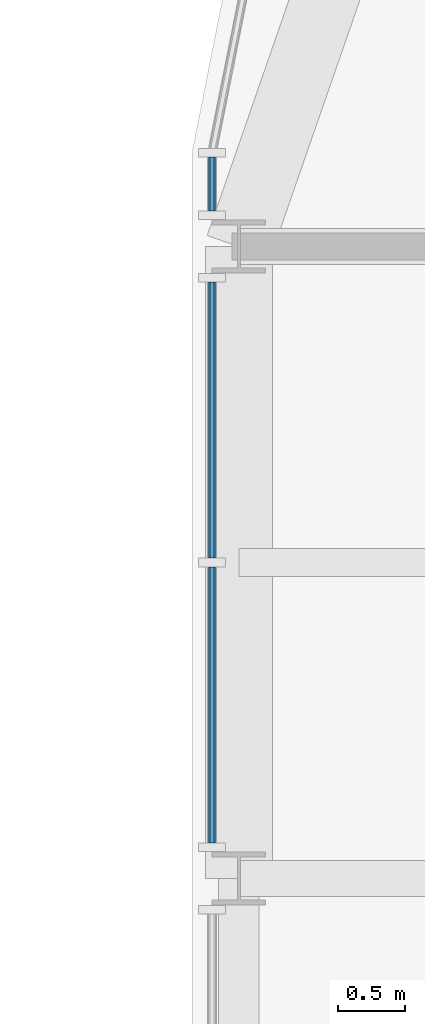
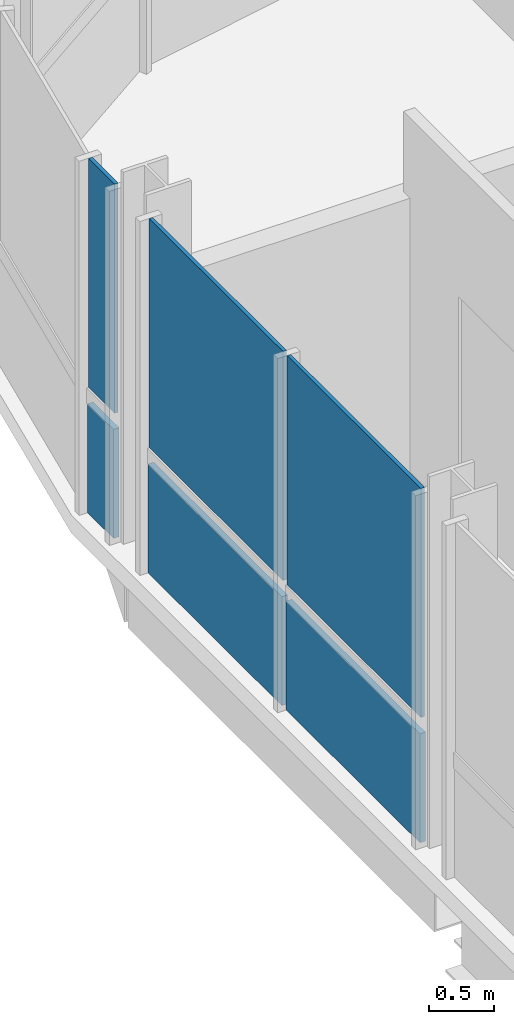
# One storey, part 9 of 17: 6 plates, 2 elements without a shape of their own.
"""IFC4 building model written with IfcOpenShell, lengths in metres."""

from ifc_helpers import new_model, si_unit, direction, frame, origin, origin_2d, place, context, subcontext, project, spatial, rectangle, extrude, material, layer, layer_set, type_object, element, aggregate, save


model = new_model("IFC4")

# Units and contexts
model_context = context("Model", 3, precision=1e-05, world=origin(), true_north=direction((0.0, 1.0)))
body_context = subcontext(model_context, "Body", "Model", "MODEL_VIEW")
ifc_project = project(units=[si_unit("LENGTHUNIT", "METRE"), si_unit("AREAUNIT", "SQUARE_METRE"), si_unit("VOLUMEUNIT", "CUBIC_METRE"), si_unit("PLANEANGLEUNIT", "RADIAN"), si_unit("MASSUNIT", "GRAM", prefix="KILO")], contexts=[model_context])

# Site, building, storey
site_placement = place(None, origin())
site = spatial("IfcSite", under=ifc_project, at=site_placement, CompositionType="ELEMENT")
building_placement = place(site_placement, origin())
building = spatial("IfcBuilding", under=site, at=building_placement, Name="Turquesa Mirador Hotel Tower", CompositionType="ELEMENT")
storey_placement = place(building_placement, frame((0.0, 0.0, 254.699951171875)))
storey = spatial("IfcBuildingStorey", under=building, at=storey_placement, Name="L69", CompositionType="ELEMENT", Elevation=254.699951171875)

# Curtain wall, plate
ifc_material_1 = material(Name="Aluminium extrusion", Category="aluminium")
curtain_wall_type = type_object("IfcCurtainWallType", Name="CW-4 SUITE FRITTED CURTAIN WALL", PredefinedType="USERDEFINED", material=ifc_material_1)
curtain_wall_1_placement = place(storey_placement, origin())
curtain_wall_1 = element("IfcCurtainWall", 1, at=curtain_wall_1_placement, inside=storey, type_object=curtain_wall_type, Name="CW-4 SUITE FRITTED CURTAIN WALL L69", ObjectType="CURTAIN WALL", PredefinedType="USERDEFINED")
ifc_material_2 = material(Name="Ceramic-printed spandrel glass on an insulated back pan", Category="glass")
ifc_layer_1 = layer(ifc_material_2, 0.050048828125)
ifc_layer_set_1 = layer_set([ifc_layer_1], Name="CW PANEL SPANDREL CERAMIC")
plate_type_1 = type_object("IfcPlateType", Name="CW PANEL SPANDREL CERAMIC", PredefinedType="CURTAIN_PANEL", material=ifc_layer_set_1)
plate_1_placement = place(storey_placement, frame((37.14990234375, 57.266845703125, 0.0), z_axis=(0.0, 0.0, 1.0), x_axis=(0.0, -1.0, 0.0)))
plate_1 = element("IfcPlate", 2, at=plate_1_placement, type_object=plate_type_1, Name="Panel", PredefinedType="CURTAIN_PANEL", context=body_context, shape_type="SweptSolid", body=[
    extrude(rectangle(XDim=0.401123046875, YDim=0.050048828125, at=origin_2d()), origin(), (0.0, 0.0, 1.0), 1.02490234375),
])

# Curtain wall, plates
curtain_wall_2_placement = place(storey_placement, origin())
curtain_wall_2 = element("IfcCurtainWall", 3, at=curtain_wall_2_placement, inside=storey, type_object=curtain_wall_type, Name="CW-4 SUITE FRITTED CURTAIN WALL L69", ObjectType="CURTAIN WALL", PredefinedType="USERDEFINED")
plate_2_placement = place(storey_placement, frame((37.14990234375, 55.503173828125, 0.0), z_axis=(0.0, 0.0, 1.0), x_axis=(0.0, -1.0, 0.0)))
plate_2 = element("IfcPlate", 4, at=plate_2_placement, type_object=plate_type_1, Name="Panel", PredefinedType="CURTAIN_PANEL", context=body_context, shape_type="SweptSolid", body=[
    extrude(rectangle(XDim=2.06103515625, YDim=0.050048828125, at=origin_2d()), origin(), (0.0, 0.0, 1.0), 1.02490234375),
])
plate_3_placement = place(storey_placement, frame((37.14990234375, 53.376953125, 0.0), z_axis=(0.0, 0.0, 1.0), x_axis=(0.0, -1.0, 0.0)))
plate_3 = element("IfcPlate", 5, at=plate_3_placement, type_object=plate_type_1, Name="Panel", PredefinedType="CURTAIN_PANEL", context=body_context, shape_type="SweptSolid", body=[
    extrude(rectangle(XDim=2.06103515625, YDim=0.050048828125, at=origin_2d()), origin(), (0.0, 0.0, 1.0), 1.02490234375),
])

# Plate
ifc_material_3 = material(Name="Ceramic-fritted laminated glass", Category="glass")
ifc_layer_2 = layer(ifc_material_3, 0.031982421875)
ifc_layer_set_2 = layer_set([ifc_layer_2], Name="CW PANEL VISION FRITTED")
plate_type_2 = type_object("IfcPlateType", Name="CW PANEL VISION FRITTED", PredefinedType="CURTAIN_PANEL", material=ifc_layer_set_2)
plate_4_placement = place(storey_placement, frame((37.14990234375, 57.266845703125, 1.1748046875), z_axis=(0.0, 0.0, 1.0), x_axis=(0.0, -1.0, 0.0)))
plate_4 = element("IfcPlate", 6, at=plate_4_placement, type_object=plate_type_2, Name="Panel", PredefinedType="CURTAIN_PANEL", context=body_context, shape_type="SweptSolid", body=[
    extrude(rectangle(XDim=0.401123046875, YDim=0.031982421875, at=origin_2d()), origin(), (0.0, 0.0, 1.0), 2.155029296875),
])

aggregate(curtain_wall_1, [plate_1, plate_4])

plate_5_placement = place(storey_placement, frame((37.14990234375, 55.503173828125, 1.1748046875), z_axis=(0.0, 0.0, 1.0), x_axis=(0.0, -1.0, 0.0)))
plate_5 = element("IfcPlate", 7, at=plate_5_placement, type_object=plate_type_2, Name="Panel", PredefinedType="CURTAIN_PANEL", context=body_context, shape_type="SweptSolid", body=[
    extrude(rectangle(XDim=2.06103515625, YDim=0.031982421875, at=origin_2d()), origin(), (0.0, 0.0, 1.0), 2.155029296875),
])

plate_6_placement = place(storey_placement, frame((37.14990234375, 53.376953125, 1.1748046875), z_axis=(0.0, 0.0, 1.0), x_axis=(0.0, -1.0, 0.0)))
plate_6 = element("IfcPlate", 8, at=plate_6_placement, type_object=plate_type_2, Name="Panel", PredefinedType="CURTAIN_PANEL", context=body_context, shape_type="SweptSolid", body=[
    extrude(rectangle(XDim=2.06103515625, YDim=0.031982421875, at=origin_2d()), origin(), (0.0, 0.0, 1.0), 2.155029296875),
])

aggregate(curtain_wall_2, [plate_2, plate_5, plate_3, plate_6])

save(model, "model.ifc")
